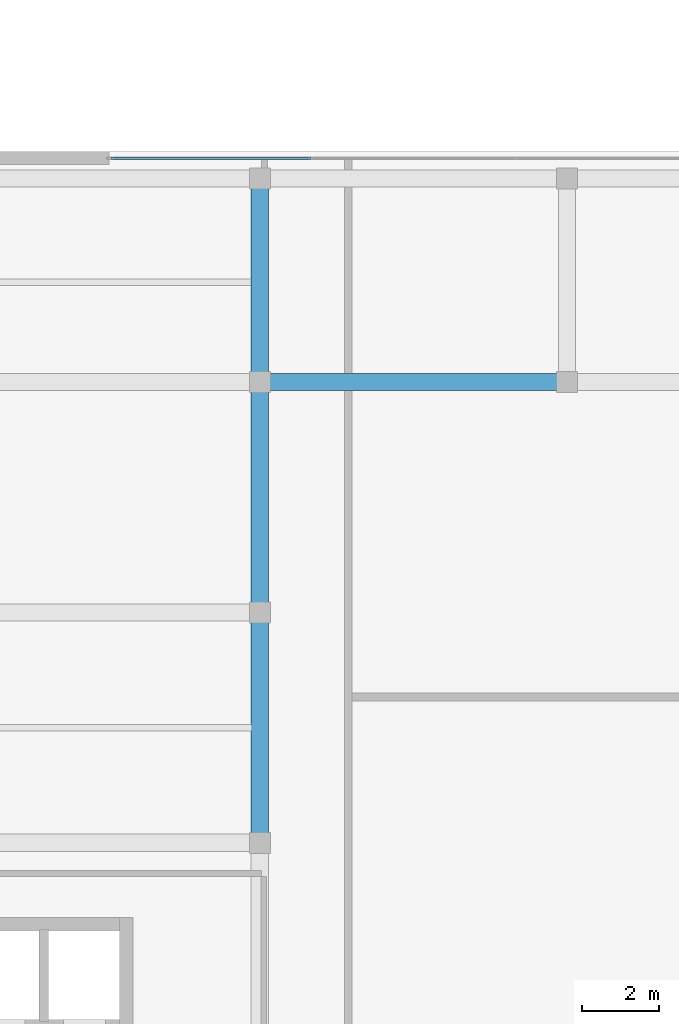
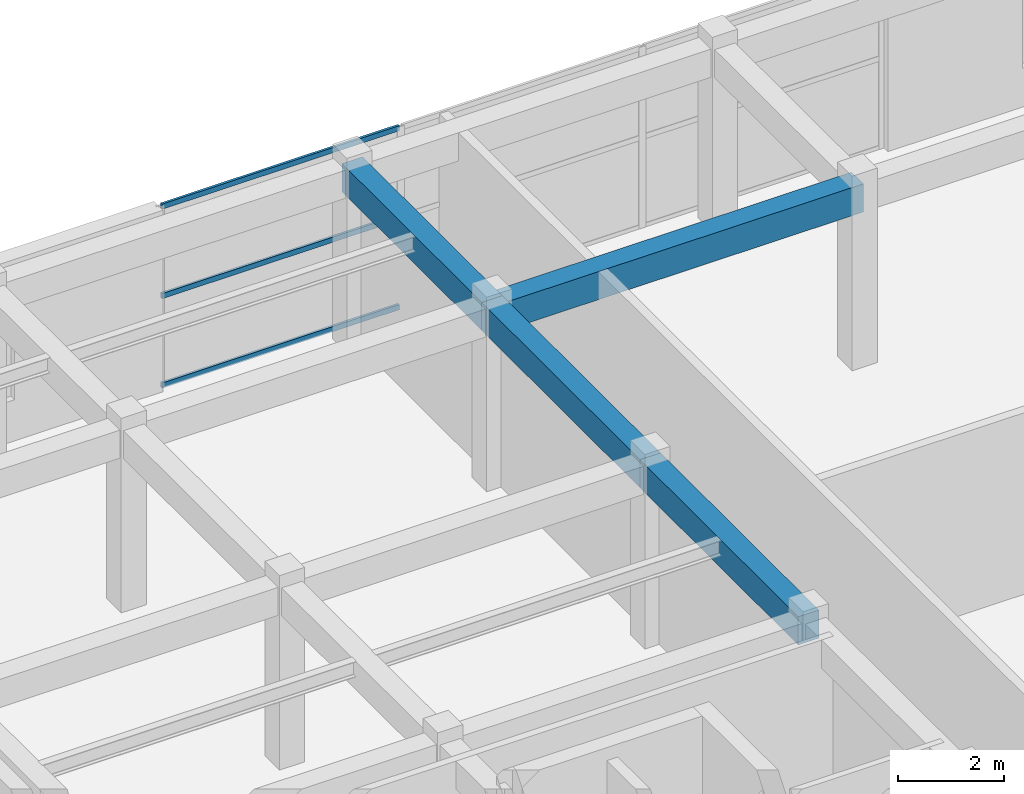
# One storey, part 15 of 26: 4 beams, 3 members, 1 element without a shape of its own.
"""IFC4 building model written with IfcOpenShell, lengths in metres."""

from ifc_helpers import new_model, si_unit, direction, frame, origin, origin_2d, place, context, subcontext, project, spatial, rectangle, hollow_rectangle, extrude, source, transform, mapped, material, layer, layer_set, material_profile, profile_set, type_object, element, aggregate, save


model = new_model("IFC4")

# Units and contexts
model_context = context("Model", 3, precision=1e-05, world=origin(), true_north=direction((0.0, 1.0)))
body_context = subcontext(model_context, "Body", "Model", "MODEL_VIEW")
ifc_project = project(units=[si_unit("LENGTHUNIT", "METRE"), si_unit("AREAUNIT", "SQUARE_METRE"), si_unit("VOLUMEUNIT", "CUBIC_METRE"), si_unit("PLANEANGLEUNIT", "RADIAN"), si_unit("MASSUNIT", "GRAM", prefix="KILO")], contexts=[model_context])

# Site, building, storey
site_placement = place(None, origin())
site = spatial("IfcSite", under=ifc_project, at=site_placement, CompositionType="ELEMENT")
building_placement = place(site_placement, origin())
building = spatial("IfcBuilding", under=site, at=building_placement, Name="Khoralis Quay Care Tower", CompositionType="ELEMENT")
storey_placement = place(building_placement, frame((0.0, 0.0, 13.5)))
storey = spatial("IfcBuildingStorey", under=building, at=storey_placement, Name="L03", CompositionType="ELEMENT", Elevation=13.5)

# Beams
ifc_material_1 = material(Name="Concrete C40/50", Category="concrete")
ifc_material_profile_1 = material_profile(ifc_material_1, rectangle(XDim=0.449951171875, YDim=0.64990234375, at=origin_2d()), Name="Concrete C40/50")
ifc_profile_set_1 = profile_set([ifc_material_profile_1], Name="Concrete C40/50")
beam_type = type_object("IfcBeamType", Name="BM-RC450X650", PredefinedType="BEAM", material=ifc_profile_set_1)
shared_shape_1 = source(origin(), body_context, "Body", "SweptSolid", [
    extrude(rectangle(XDim=0.449951171875, YDim=0.64990234375, at=origin_2d()), origin(), (0.0, 0.0, 1.0), 8.0),
])
beam_1_placement = place(storey_placement, frame((84.0, 36.0, 3.875), z_axis=(1.0, 0.0, 0.0), x_axis=(0.0, 1.0, 0.0)))
element("IfcBeam", 1, at=beam_1_placement, inside=storey, type_object=beam_type, Name="BM-SCX-L03-17", PredefinedType="BEAM", context=body_context, shape_type="MappedRepresentation", body=[
    mapped(shared_shape_1, transform((0.0, 0.0, 0.0), scale=1.0)),
])
shared_shape_2 = source(origin(), body_context, "Body", "SweptSolid", [
    extrude(rectangle(XDim=0.449951171875, YDim=0.64990234375, at=origin_2d()), origin(), (0.0, 0.0, 1.0), 5.300048828125),
])
beam_2_placement = place(storey_placement, frame((84.0, 36.0, 3.875), z_axis=(0.0, 1.0, 0.0), x_axis=(-1.0, 0.0, 0.0)))
element("IfcBeam", 2, at=beam_2_placement, inside=storey, type_object=beam_type, Name="BM-SCY-L03-41", PredefinedType="BEAM", context=body_context, shape_type="MappedRepresentation", body=[
    mapped(shared_shape_2, transform((0.0, 0.0, 0.0), scale=1.0)),
])
shared_shape_3 = source(origin(), body_context, "Body", "SweptSolid", [
    extrude(rectangle(XDim=0.449951171875, YDim=0.64990234375, at=origin_2d()), origin(), (0.0, 0.0, 1.0), 6.0),
])
for number, where, z_axis, x_axis, name in (
    (3, (84.0, 24.0, 3.875), (0.0, 1.0, 0.0), (-1.0, 0.0, 0.0), "BM-SCY-L03-39"),
    (4, (84.0, 30.0, 3.875), (0.0, 1.0, 0.0), (-1.0, 0.0, 0.0), "BM-SCY-L03-40"),
):
    element("IfcBeam", number, at=place(storey_placement, frame(where, z_axis=z_axis, x_axis=x_axis)), inside=storey, type_object=beam_type, Name=name, PredefinedType="BEAM", context=body_context, shape_type="MappedRepresentation", body=[
        mapped(shared_shape_3, transform((0.0, 0.0, 0.0), scale=1.0)),
    ])

# Curtain wall, members
ifc_material_2 = material(Name="Pale anodised aluminium", Category="aluminium")
ifc_layer = layer(ifc_material_2, 0.14990234375)
ifc_layer_set = layer_set([ifc_layer], Name="Pale anodised aluminium")
curtain_wall_type = type_object("IfcCurtainWallType", Name="CW-SYS-SCHOOL", PredefinedType="NOTDEFINED", material=ifc_layer_set)
curtain_wall_placement = place(storey_placement, origin())
curtain_wall = element("IfcCurtainWall", 5, at=curtain_wall_placement, inside=storey, type_object=curtain_wall_type, Name="L03 Unitised Curtain Wall CW-SCH-L03-E3", PredefinedType="NOTDEFINED")
ifc_material_profile_2 = material_profile(ifc_material_2, hollow_rectangle(XDim=0.054931640625, YDim=0.1201171875, WallThickness=0.00390625, at=origin_2d()), Name="Pale anodised aluminium")
ifc_profile_set_2 = profile_set([ifc_material_profile_2], Name="Pale anodised aluminium")
member_type = type_object("IfcMemberType", Name="CW-TRN-120", PredefinedType="USERDEFINED", material=ifc_profile_set_2)
shared_shape_4 = source(origin(), body_context, "Body", "SweptSolid", [
    extrude(hollow_rectangle(XDim=0.054931640625, YDim=0.1201171875, WallThickness=0.00390625, at=origin_2d()), origin(), (0.0, 0.0, 1.0), 5.197998046875),
])
member_1_placement = place(storey_placement, frame((85.325927734375, 41.830078125, 0.030029296875), z_axis=(-1.0, 0.0, 0.0), x_axis=(0.0, -1.0, 0.0)))
member_1 = element("IfcMember", 6, at=member_1_placement, type_object=member_type, Name="CW6 transom 3.1", ObjectType="TRANSOM", PredefinedType="USERDEFINED", context=body_context, shape_type="MappedRepresentation", body=[
    mapped(shared_shape_4, transform((0.0, 0.0, 0.0), scale=1.0)),
])
member_2_placement = place(storey_placement, frame((85.325927734375, 41.830078125, 2.10009765625), z_axis=(-1.0, 0.0, 0.0), x_axis=(0.0, -1.0, 0.0)))
member_2 = element("IfcMember", 7, at=member_2_placement, type_object=member_type, Name="CW6 transom 3.2", ObjectType="TRANSOM", PredefinedType="USERDEFINED", context=body_context, shape_type="MappedRepresentation", body=[
    mapped(shared_shape_4, transform((0.0, 0.0, 0.0), scale=1.0)),
])
member_3_placement = place(storey_placement, frame((85.325927734375, 41.830078125, 4.169921875), z_axis=(-1.0, 0.0, 0.0), x_axis=(0.0, -1.0, 0.0)))
member_3 = element("IfcMember", 8, at=member_3_placement, type_object=member_type, Name="CW6 transom 3.3", ObjectType="TRANSOM", PredefinedType="USERDEFINED", context=body_context, shape_type="MappedRepresentation", body=[
    mapped(shared_shape_4, transform((0.0, 0.0, 0.0), scale=1.0)),
])
aggregate(curtain_wall, [member_1, member_2, member_3])

save(model, "model.ifc")
